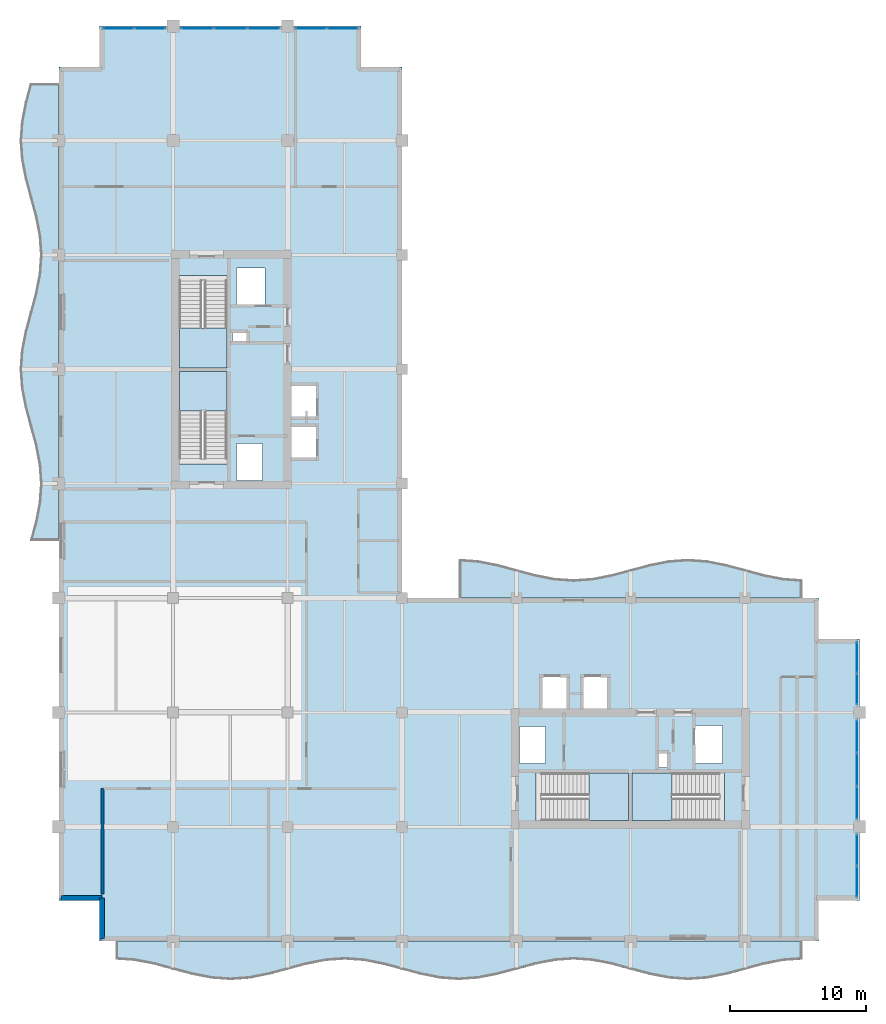
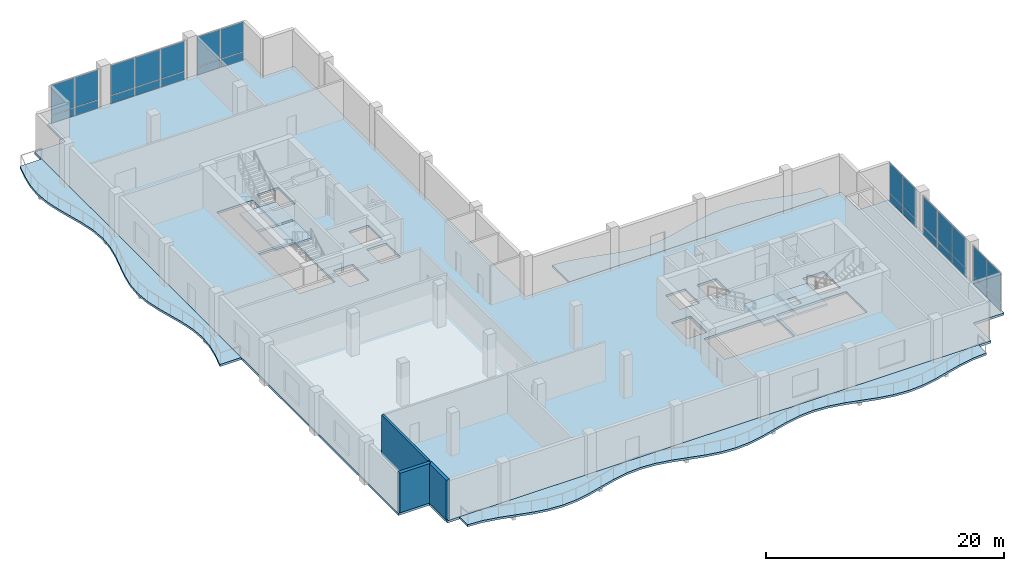
# One storey, part 7 of 15: 28 plates, 8 slabs, 3 walls, 10 elements without a shape of their own.
"""IFC4 building model written with IfcOpenShell, lengths in metres."""

from ifc_helpers import new_model, si_unit, direction, frame, frame_2d, origin, origin_2d, place, context, subcontext, project, spatial, polyline, rectangle, outline, extrude, material, layer, layer_set, type_object, element, aggregate, save


model = new_model("IFC4")

# Units and contexts
model_context = context("Model", 3, precision=1e-05, world=origin(), true_north=direction((0.0, 1.0)))
body_context = subcontext(model_context, "Body", "Model", "MODEL_VIEW")
ifc_project = project(units=[si_unit("LENGTHUNIT", "METRE"), si_unit("AREAUNIT", "SQUARE_METRE"), si_unit("VOLUMEUNIT", "CUBIC_METRE"), si_unit("PLANEANGLEUNIT", "RADIAN"), si_unit("MASSUNIT", "GRAM", prefix="KILO")], contexts=[model_context])

# Site, building, storey
site_placement = place(None, origin())
site = spatial("IfcSite", under=ifc_project, at=site_placement, CompositionType="ELEMENT")
building_placement = place(site_placement, origin())
building = spatial("IfcBuilding", under=site, at=building_placement, Name="Koriwani Terraces Tower", CompositionType="ELEMENT")
storey_placement = place(building_placement, frame((0.0, 0.0, 290.39990234375)))
storey = spatial("IfcBuildingStorey", under=building, at=storey_placement, Name="L72", CompositionType="ELEMENT", Elevation=290.39990234375)

# Curtain wall, plates
ifc_material_1 = material(Name="Anodised Bronze Aluminium", Category="aluminium")
ifc_layer_1 = layer(ifc_material_1, 0.219970703125, Name="Anodised Bronze Aluminium")
ifc_layer_set_1 = layer_set([ifc_layer_1], Name="Anodised Bronze Aluminium")
curtain_wall_type = type_object("IfcCurtainWallType", Name="CW_SKY_LOUNGE", PredefinedType="NOTDEFINED", material=ifc_layer_set_1)
curtain_wall_1_placement = place(storey_placement, origin())
curtain_wall_1 = element("IfcCurtainWall", 1, at=curtain_wall_1_placement, inside=storey, type_object=curtain_wall_type, Name="L72 Unitised Curtain Wall (N_TIP) Bay 1", PredefinedType="NOTDEFINED")
ifc_material_2 = material(Name="Tempered Laminated Low-E Glass", Category="glass")
ifc_layer_2 = layer(ifc_material_2, 0.028076171875, Name="Tempered Laminated Low-E Glass")
ifc_layer_set_2 = layer_set([ifc_layer_2], Name="Tempered Laminated Low-E Glass")
plate_type = type_object("IfcPlateType", Name="CW_PANEL_VISION_28", PredefinedType="CURTAIN_PANEL", material=ifc_layer_set_2)
plate_1_placement = place(storey_placement, frame((12.77490234375, 75.425048828125, 0.06494140625), z_axis=(0.0, 0.0, 1.0), x_axis=(1.0, 0.0, 0.0)))
plate_1 = element("IfcPlate", 2, at=plate_1_placement, type_object=plate_type, Name="CW-SKY panel 1.1", PredefinedType="CURTAIN_PANEL", context=body_context, shape_type="SweptSolid", body=[
    extrude(rectangle(XDim=2.22998046875, YDim=0.028076171875, at=origin_2d()), origin(), (0.0, 0.0, 1.0), 0.802490234375),
])
plate_2_placement = place(storey_placement, frame((12.77490234375, 75.425048828125, 0.9326171875), z_axis=(0.0, 0.0, 1.0), x_axis=(1.0, 0.0, 0.0)))
plate_2 = element("IfcPlate", 3, at=plate_2_placement, type_object=plate_type, Name="CW-SKY panel 1.2", PredefinedType="CURTAIN_PANEL", context=body_context, shape_type="SweptSolid", body=[
    extrude(rectangle(XDim=2.22998046875, YDim=0.028076171875, at=origin_2d()), origin(), (0.0, 0.0, 1.0), 3.052490234375),
])
plate_3_placement = place(storey_placement, frame((15.090087890625, 75.425048828125, 0.06494140625), z_axis=(0.0, 0.0, 1.0), x_axis=(1.0, 0.0, 0.0)))
plate_3 = element("IfcPlate", 4, at=plate_3_placement, type_object=plate_type, Name="CW-SKY panel 2.1", PredefinedType="CURTAIN_PANEL", context=body_context, shape_type="SweptSolid", body=[
    extrude(rectangle(XDim=2.22998046875, YDim=0.028076171875, at=origin_2d()), origin(), (0.0, 0.0, 1.0), 0.802490234375),
])
plate_4_placement = place(storey_placement, frame((15.090087890625, 75.425048828125, 0.9326171875), z_axis=(0.0, 0.0, 1.0), x_axis=(1.0, 0.0, 0.0)))
plate_4 = element("IfcPlate", 5, at=plate_4_placement, type_object=plate_type, Name="CW-SKY panel 2.2", PredefinedType="CURTAIN_PANEL", context=body_context, shape_type="SweptSolid", body=[
    extrude(rectangle(XDim=2.22998046875, YDim=0.028076171875, at=origin_2d()), origin(), (0.0, 0.0, 1.0), 3.052490234375),
])
aggregate(curtain_wall_1, [plate_1, plate_2, plate_3, plate_4])

curtain_wall_2_placement = place(storey_placement, origin())
curtain_wall_2 = element("IfcCurtainWall", 6, at=curtain_wall_2_placement, inside=storey, type_object=curtain_wall_type, Name="L72 Unitised Curtain Wall (N_TIP) Bay 2", PredefinedType="NOTDEFINED")
plate_5_placement = place(storey_placement, frame((18.561279296875, 75.425048828125, 0.06494140625), z_axis=(0.0, 0.0, 1.0), x_axis=(1.0, 0.0, 0.0)))
plate_5 = element("IfcPlate", 7, at=plate_5_placement, type_object=plate_type, Name="CW-SKY panel 1.1", PredefinedType="CURTAIN_PANEL", context=body_context, shape_type="SweptSolid", body=[
    extrude(rectangle(XDim=2.33251953125, YDim=0.028076171875, at=origin_2d()), origin(), (0.0, 0.0, 1.0), 0.802490234375),
])
plate_6_placement = place(storey_placement, frame((18.561279296875, 75.425048828125, 0.9326171875), z_axis=(0.0, 0.0, 1.0), x_axis=(1.0, 0.0, 0.0)))
plate_6 = element("IfcPlate", 8, at=plate_6_placement, type_object=plate_type, Name="CW-SKY panel 1.2", PredefinedType="CURTAIN_PANEL", context=body_context, shape_type="SweptSolid", body=[
    extrude(rectangle(XDim=2.33251953125, YDim=0.028076171875, at=origin_2d()), origin(), (0.0, 0.0, 1.0), 3.052490234375),
])
plate_7_placement = place(storey_placement, frame((21.0, 75.425048828125, 0.06494140625), z_axis=(0.0, 0.0, 1.0), x_axis=(1.0, 0.0, 0.0)))
plate_7 = element("IfcPlate", 9, at=plate_7_placement, type_object=plate_type, Name="CW-SKY panel 2.1", PredefinedType="CURTAIN_PANEL", context=body_context, shape_type="SweptSolid", body=[
    extrude(rectangle(XDim=2.375, YDim=0.028076171875, at=origin_2d()), origin(), (0.0, 0.0, 1.0), 0.802490234375),
])
plate_8_placement = place(storey_placement, frame((21.0, 75.425048828125, 0.9326171875), z_axis=(0.0, 0.0, 1.0), x_axis=(1.0, 0.0, 0.0)))
plate_8 = element("IfcPlate", 10, at=plate_8_placement, type_object=plate_type, Name="CW-SKY panel 2.2", PredefinedType="CURTAIN_PANEL", context=body_context, shape_type="SweptSolid", body=[
    extrude(rectangle(XDim=2.375, YDim=0.028076171875, at=origin_2d()), origin(), (0.0, 0.0, 1.0), 3.052490234375),
])
plate_9_placement = place(storey_placement, frame((23.438720703125, 75.425048828125, 0.06494140625), z_axis=(0.0, 0.0, 1.0), x_axis=(1.0, 0.0, 0.0)))
plate_9 = element("IfcPlate", 11, at=plate_9_placement, type_object=plate_type, Name="CW-SKY panel 3.1", PredefinedType="CURTAIN_PANEL", context=body_context, shape_type="SweptSolid", body=[
    extrude(rectangle(XDim=2.33251953125, YDim=0.028076171875, at=origin_2d()), origin(), (0.0, 0.0, 1.0), 0.802490234375),
])
plate_10_placement = place(storey_placement, frame((23.438720703125, 75.425048828125, 0.9326171875), z_axis=(0.0, 0.0, 1.0), x_axis=(1.0, 0.0, 0.0)))
plate_10 = element("IfcPlate", 12, at=plate_10_placement, type_object=plate_type, Name="CW-SKY panel 3.2", PredefinedType="CURTAIN_PANEL", context=body_context, shape_type="SweptSolid", body=[
    extrude(rectangle(XDim=2.33251953125, YDim=0.028076171875, at=origin_2d()), origin(), (0.0, 0.0, 1.0), 3.052490234375),
])
aggregate(curtain_wall_2, [plate_5, plate_6, plate_7, plate_8, plate_9, plate_10])

curtain_wall_3_placement = place(storey_placement, origin())
curtain_wall_3 = element("IfcCurtainWall", 13, at=curtain_wall_3_placement, inside=storey, type_object=curtain_wall_type, Name="L72 Unitised Curtain Wall (N_TIP) Bay 3", PredefinedType="NOTDEFINED")
plate_11_placement = place(storey_placement, frame((26.909912109375, 75.425048828125, 0.06494140625), z_axis=(0.0, 0.0, 1.0), x_axis=(1.0, 0.0, 0.0)))
plate_11 = element("IfcPlate", 14, at=plate_11_placement, type_object=plate_type, Name="CW-SKY panel 1.1", PredefinedType="CURTAIN_PANEL", context=body_context, shape_type="SweptSolid", body=[
    extrude(rectangle(XDim=2.22998046875, YDim=0.028076171875, at=origin_2d()), origin(), (0.0, 0.0, 1.0), 0.802490234375),
])
plate_12_placement = place(storey_placement, frame((26.909912109375, 75.425048828125, 0.9326171875), z_axis=(0.0, 0.0, 1.0), x_axis=(1.0, 0.0, 0.0)))
plate_12 = element("IfcPlate", 15, at=plate_12_placement, type_object=plate_type, Name="CW-SKY panel 1.2", PredefinedType="CURTAIN_PANEL", context=body_context, shape_type="SweptSolid", body=[
    extrude(rectangle(XDim=2.22998046875, YDim=0.028076171875, at=origin_2d()), origin(), (0.0, 0.0, 1.0), 3.052490234375),
])
plate_13_placement = place(storey_placement, frame((29.22509765625, 75.425048828125, 0.06494140625), z_axis=(0.0, 0.0, 1.0), x_axis=(1.0, 0.0, 0.0)))
plate_13 = element("IfcPlate", 16, at=plate_13_placement, type_object=plate_type, Name="CW-SKY panel 2.1", PredefinedType="CURTAIN_PANEL", context=body_context, shape_type="SweptSolid", body=[
    extrude(rectangle(XDim=2.22998046875, YDim=0.028076171875, at=origin_2d()), origin(), (0.0, 0.0, 1.0), 0.802490234375),
])
plate_14_placement = place(storey_placement, frame((29.22509765625, 75.425048828125, 0.9326171875), z_axis=(0.0, 0.0, 1.0), x_axis=(1.0, 0.0, 0.0)))
plate_14 = element("IfcPlate", 17, at=plate_14_placement, type_object=plate_type, Name="CW-SKY panel 2.2", PredefinedType="CURTAIN_PANEL", context=body_context, shape_type="SweptSolid", body=[
    extrude(rectangle(XDim=2.22998046875, YDim=0.028076171875, at=origin_2d()), origin(), (0.0, 0.0, 1.0), 3.052490234375),
])
aggregate(curtain_wall_3, [plate_11, plate_12, plate_13, plate_14])

curtain_wall_4_placement = place(storey_placement, origin())
curtain_wall_4 = element("IfcCurtainWall", 18, at=curtain_wall_4_placement, inside=storey, type_object=curtain_wall_type, Name="L72 Unitised Curtain Wall (E_TIP) Bay 1", PredefinedType="NOTDEFINED")
plate_15_placement = place(storey_placement, frame((67.02490234375, 29.22509765625, 0.06494140625), z_axis=(0.0, 0.0, 1.0), x_axis=(0.0, -1.0, 0.0)))
plate_15 = element("IfcPlate", 19, at=plate_15_placement, type_object=plate_type, Name="CW-SKY panel 1.1", PredefinedType="CURTAIN_PANEL", context=body_context, shape_type="SweptSolid", body=[
    extrude(rectangle(XDim=2.22998046875, YDim=0.028076171875, at=origin_2d()), origin(), (0.0, 0.0, 1.0), 0.802490234375),
])
plate_16_placement = place(storey_placement, frame((67.02490234375, 29.22509765625, 0.9326171875), z_axis=(0.0, 0.0, 1.0), x_axis=(0.0, -1.0, 0.0)))
plate_16 = element("IfcPlate", 20, at=plate_16_placement, type_object=plate_type, Name="CW-SKY panel 1.2", PredefinedType="CURTAIN_PANEL", context=body_context, shape_type="SweptSolid", body=[
    extrude(rectangle(XDim=2.22998046875, YDim=0.028076171875, at=origin_2d()), origin(), (0.0, 0.0, 1.0), 3.052490234375),
])
plate_17_placement = place(storey_placement, frame((67.02490234375, 26.909912109375, 0.06494140625), z_axis=(0.0, 0.0, 1.0), x_axis=(0.0, -1.0, 0.0)))
plate_17 = element("IfcPlate", 21, at=plate_17_placement, type_object=plate_type, Name="CW-SKY panel 2.1", PredefinedType="CURTAIN_PANEL", context=body_context, shape_type="SweptSolid", body=[
    extrude(rectangle(XDim=2.22998046875, YDim=0.028076171875, at=origin_2d()), origin(), (0.0, 0.0, 1.0), 0.802490234375),
])
plate_18_placement = place(storey_placement, frame((67.02490234375, 26.909912109375, 0.9326171875), z_axis=(0.0, 0.0, 1.0), x_axis=(0.0, -1.0, 0.0)))
plate_18 = element("IfcPlate", 22, at=plate_18_placement, type_object=plate_type, Name="CW-SKY panel 2.2", PredefinedType="CURTAIN_PANEL", context=body_context, shape_type="SweptSolid", body=[
    extrude(rectangle(XDim=2.22998046875, YDim=0.028076171875, at=origin_2d()), origin(), (0.0, 0.0, 1.0), 3.052490234375),
])
aggregate(curtain_wall_4, [plate_15, plate_16, plate_17, plate_18])

curtain_wall_5_placement = place(storey_placement, origin())
curtain_wall_5 = element("IfcCurtainWall", 23, at=curtain_wall_5_placement, inside=storey, type_object=curtain_wall_type, Name="L72 Unitised Curtain Wall (E_TIP) Bay 2", PredefinedType="NOTDEFINED")
plate_19_placement = place(storey_placement, frame((67.02490234375, 23.438720703125, 0.06494140625), z_axis=(0.0, 0.0, 1.0), x_axis=(0.0, -1.0, 0.0)))
plate_19 = element("IfcPlate", 24, at=plate_19_placement, type_object=plate_type, Name="CW-SKY panel 1.1", PredefinedType="CURTAIN_PANEL", context=body_context, shape_type="SweptSolid", body=[
    extrude(rectangle(XDim=2.33251953125, YDim=0.028076171875, at=origin_2d()), origin(), (0.0, 0.0, 1.0), 0.802490234375),
])
plate_20_placement = place(storey_placement, frame((67.02490234375, 23.438720703125, 0.9326171875), z_axis=(0.0, 0.0, 1.0), x_axis=(0.0, -1.0, 0.0)))
plate_20 = element("IfcPlate", 25, at=plate_20_placement, type_object=plate_type, Name="CW-SKY panel 1.2", PredefinedType="CURTAIN_PANEL", context=body_context, shape_type="SweptSolid", body=[
    extrude(rectangle(XDim=2.33251953125, YDim=0.028076171875, at=origin_2d()), origin(), (0.0, 0.0, 1.0), 3.052490234375),
])
plate_21_placement = place(storey_placement, frame((67.02490234375, 21.0, 0.06494140625), z_axis=(0.0, 0.0, 1.0), x_axis=(0.0, -1.0, 0.0)))
plate_21 = element("IfcPlate", 26, at=plate_21_placement, type_object=plate_type, Name="CW-SKY panel 2.1", PredefinedType="CURTAIN_PANEL", context=body_context, shape_type="SweptSolid", body=[
    extrude(rectangle(XDim=2.375, YDim=0.028076171875, at=origin_2d()), origin(), (0.0, 0.0, 1.0), 0.802490234375),
])
plate_22_placement = place(storey_placement, frame((67.02490234375, 21.0, 0.9326171875), z_axis=(0.0, 0.0, 1.0), x_axis=(0.0, -1.0, 0.0)))
plate_22 = element("IfcPlate", 27, at=plate_22_placement, type_object=plate_type, Name="CW-SKY panel 2.2", PredefinedType="CURTAIN_PANEL", context=body_context, shape_type="SweptSolid", body=[
    extrude(rectangle(XDim=2.375, YDim=0.028076171875, at=origin_2d()), origin(), (0.0, 0.0, 1.0), 3.052490234375),
])
plate_23_placement = place(storey_placement, frame((67.02490234375, 18.561279296875, 0.06494140625), z_axis=(0.0, 0.0, 1.0), x_axis=(0.0, -1.0, 0.0)))
plate_23 = element("IfcPlate", 28, at=plate_23_placement, type_object=plate_type, Name="CW-SKY panel 3.1", PredefinedType="CURTAIN_PANEL", context=body_context, shape_type="SweptSolid", body=[
    extrude(rectangle(XDim=2.33251953125, YDim=0.028076171875, at=origin_2d()), origin(), (0.0, 0.0, 1.0), 0.802490234375),
])
plate_24_placement = place(storey_placement, frame((67.02490234375, 18.561279296875, 0.9326171875), z_axis=(0.0, 0.0, 1.0), x_axis=(0.0, -1.0, 0.0)))
plate_24 = element("IfcPlate", 29, at=plate_24_placement, type_object=plate_type, Name="CW-SKY panel 3.2", PredefinedType="CURTAIN_PANEL", context=body_context, shape_type="SweptSolid", body=[
    extrude(rectangle(XDim=2.33251953125, YDim=0.028076171875, at=origin_2d()), origin(), (0.0, 0.0, 1.0), 3.052490234375),
])
aggregate(curtain_wall_5, [plate_19, plate_20, plate_21, plate_22, plate_23, plate_24])

curtain_wall_6_placement = place(storey_placement, origin())
curtain_wall_6 = element("IfcCurtainWall", 30, at=curtain_wall_6_placement, inside=storey, type_object=curtain_wall_type, Name="L72 Unitised Curtain Wall (E_TIP) Bay 3", PredefinedType="NOTDEFINED")
plate_25_placement = place(storey_placement, frame((67.02490234375, 15.090087890625, 0.06494140625), z_axis=(0.0, 0.0, 1.0), x_axis=(0.0, -1.0, 0.0)))
plate_25 = element("IfcPlate", 31, at=plate_25_placement, type_object=plate_type, Name="CW-SKY panel 1.1", PredefinedType="CURTAIN_PANEL", context=body_context, shape_type="SweptSolid", body=[
    extrude(rectangle(XDim=2.22998046875, YDim=0.028076171875, at=origin_2d()), origin(), (0.0, 0.0, 1.0), 0.802490234375),
])
plate_26_placement = place(storey_placement, frame((67.02490234375, 15.090087890625, 0.9326171875), z_axis=(0.0, 0.0, 1.0), x_axis=(0.0, -1.0, 0.0)))
plate_26 = element("IfcPlate", 32, at=plate_26_placement, type_object=plate_type, Name="CW-SKY panel 1.2", PredefinedType="CURTAIN_PANEL", context=body_context, shape_type="SweptSolid", body=[
    extrude(rectangle(XDim=2.22998046875, YDim=0.028076171875, at=origin_2d()), origin(), (0.0, 0.0, 1.0), 3.052490234375),
])
plate_27_placement = place(storey_placement, frame((67.02490234375, 12.77490234375, 0.06494140625), z_axis=(0.0, 0.0, 1.0), x_axis=(0.0, -1.0, 0.0)))
plate_27 = element("IfcPlate", 33, at=plate_27_placement, type_object=plate_type, Name="CW-SKY panel 2.1", PredefinedType="CURTAIN_PANEL", context=body_context, shape_type="SweptSolid", body=[
    extrude(rectangle(XDim=2.22998046875, YDim=0.028076171875, at=origin_2d()), origin(), (0.0, 0.0, 1.0), 0.802490234375),
])
plate_28_placement = place(storey_placement, frame((67.02490234375, 12.77490234375, 0.9326171875), z_axis=(0.0, 0.0, 1.0), x_axis=(0.0, -1.0, 0.0)))
plate_28 = element("IfcPlate", 34, at=plate_28_placement, type_object=plate_type, Name="CW-SKY panel 2.2", PredefinedType="CURTAIN_PANEL", context=body_context, shape_type="SweptSolid", body=[
    extrude(rectangle(XDim=2.22998046875, YDim=0.028076171875, at=origin_2d()), origin(), (0.0, 0.0, 1.0), 3.052490234375),
])
aggregate(curtain_wall_6, [plate_25, plate_26, plate_27, plate_28])

# Slabs
ifc_material_3 = material(Name="Concrete C40/50", Category="concrete")
ifc_layer_3 = layer(ifc_material_3, 0.219970703125, Name="Concrete C40/50")
ifc_layer_set_3 = layer_set([ifc_layer_3], Name="Concrete C40/50")
slab_type_1 = type_object("IfcSlabType", Name="SLAB_BALCONY_220", PredefinedType="FLOOR", material=ifc_layer_set_3)
slab_1_placement = place(storey_placement, frame((0.0, 0.0, -0.219970703125)))
element("IfcSlab", 35, at=slab_1_placement, inside=storey, type_object=slab_type_1, Name="L72 Quilted Circular-Arc Balcony (S)", PredefinedType="FLOOR", context=body_context, shape_type="SweptSolid", body=[
    extrude(outline(polyline([(12.60009765625, 8.39990234375), (14.0, 8.39990234375), (15.39990234375, 8.39990234375), (16.800048828125, 8.39990234375), (18.199951171875, 8.39990234375), (19.60009765625, 8.39990234375), (21.0, 8.39990234375), (22.39990234375, 8.39990234375), (23.800048828125, 8.39990234375), (25.199951171875, 8.39990234375), (26.60009765625, 8.39990234375), (28.0, 8.39990234375), (29.39990234375, 8.39990234375), (30.800048828125, 8.39990234375), (32.199951171875, 8.39990234375), (33.60009765625, 8.39990234375), (35.0, 8.39990234375), (36.39990234375, 8.39990234375), (37.800048828125, 8.39990234375), (39.199951171875, 8.39990234375), (40.60009765625, 8.39990234375), (42.0, 8.39990234375), (43.39990234375, 8.39990234375), (44.800048828125, 8.39990234375), (46.199951171875, 8.39990234375), (47.60009765625, 8.39990234375), (49.0, 8.39990234375), (50.39990234375, 8.39990234375), (51.800048828125, 8.39990234375), (53.199951171875, 8.39990234375), (54.60009765625, 8.39990234375), (56.0, 8.39990234375), (57.39990234375, 8.39990234375), (58.800048828125, 8.39990234375), (60.199951171875, 8.39990234375), (61.60009765625, 8.39990234375), (63.0, 8.39990234375), (63.0, 7.050048828125), (61.60009765625, 6.949462890625), (60.199951171875, 6.675048828125), (58.800048828125, 6.300048828125), (57.39990234375, 5.925048828125), (56.0, 5.650390625), (54.60009765625, 5.550048828125), (53.199951171875, 5.650390625), (51.800048828125, 5.925048828125), (50.39990234375, 6.300048828125), (49.0, 6.675048828125), (47.60009765625, 6.949462890625), (46.199951171875, 7.050048828125), (44.800048828125, 6.949462890625), (43.39990234375, 6.675048828125), (42.0, 6.300048828125), (40.60009765625, 5.925048828125), (39.199951171875, 5.650390625), (37.800048828125, 5.550048828125), (36.39990234375, 5.650390625), (35.0, 5.925048828125), (33.60009765625, 6.300048828125), (32.199951171875, 6.675048828125), (30.800048828125, 6.949462890625), (29.39990234375, 7.050048828125), (28.0, 6.949462890625), (26.60009765625, 6.675048828125), (25.199951171875, 6.300048828125), (23.800048828125, 5.925048828125), (22.39990234375, 5.650390625), (21.0, 5.550048828125), (19.60009765625, 5.650390625), (18.199951171875, 5.925048828125), (16.800048828125, 6.300048828125), (15.39990234375, 6.675048828125), (14.0, 6.949462890625), (12.60009765625, 7.050048828125), (12.60009765625, 8.39990234375)])), origin(), (0.0, 0.0, 1.0), 0.219970703125),
])
slab_2_placement = place(storey_placement, frame((0.0, 0.0, -0.219970703125)))
element("IfcSlab", 36, at=slab_2_placement, inside=storey, type_object=slab_type_1, Name="L72 Quilted Circular-Arc Balcony (W)", PredefinedType="FLOOR", context=body_context, shape_type="SweptSolid", body=[
    extrude(outline(polyline([(8.39990234375, 37.800048828125), (8.39990234375, 39.199951171875), (8.39990234375, 40.60009765625), (8.39990234375, 42.0), (8.39990234375, 43.39990234375), (8.39990234375, 44.800048828125), (8.39990234375, 46.199951171875), (8.39990234375, 47.60009765625), (8.39990234375, 49.0), (8.39990234375, 50.39990234375), (8.39990234375, 51.800048828125), (8.39990234375, 53.199951171875), (8.39990234375, 54.60009765625), (8.39990234375, 56.0), (8.39990234375, 57.39990234375), (8.39990234375, 58.800048828125), (8.39990234375, 60.199951171875), (8.39990234375, 61.60009765625), (8.39990234375, 63.0), (8.39990234375, 64.39990234375), (8.39990234375, 65.800048828125), (8.39990234375, 67.199951171875), (8.39990234375, 68.60009765625), (8.39990234375, 70.0), (8.39990234375, 71.39990234375), (6.300048828125, 71.39990234375), (5.925048828125, 70.0), (5.650390625, 68.60009765625), (5.550048828125, 67.199951171875), (5.650390625, 65.800048828125), (5.925048828125, 64.39990234375), (6.300048828125, 63.0), (6.675048828125, 61.60009765625), (6.949462890625, 60.199951171875), (7.050048828125, 58.800048828125), (6.949462890625, 57.39990234375), (6.675048828125, 56.0), (6.300048828125, 54.60009765625), (5.925048828125, 53.199951171875), (5.650390625, 51.800048828125), (5.550048828125, 50.39990234375), (5.650390625, 49.0), (5.925048828125, 47.60009765625), (6.300048828125, 46.199951171875), (6.675048828125, 44.800048828125), (6.949462890625, 43.39990234375), (7.050048828125, 42.0), (6.949462890625, 40.60009765625), (6.675048828125, 39.199951171875), (6.300048828125, 37.800048828125), (8.39990234375, 37.800048828125)])), origin(), (0.0, 0.0, 1.0), 0.219970703125),
])
slab_3_placement = place(storey_placement, frame((0.0, 0.0, -0.219970703125)))
element("IfcSlab", 37, at=slab_3_placement, inside=storey, type_object=slab_type_1, Name="L72 Quilted Circular-Arc Balcony (NE)", PredefinedType="FLOOR", context=body_context, shape_type="SweptSolid", body=[
    extrude(outline(polyline([(63.0, 33.60009765625), (61.60009765625, 33.60009765625), (60.199951171875, 33.60009765625), (58.800048828125, 33.60009765625), (57.39990234375, 33.60009765625), (56.0, 33.60009765625), (54.60009765625, 33.60009765625), (53.199951171875, 33.60009765625), (51.800048828125, 33.60009765625), (50.39990234375, 33.60009765625), (49.0, 33.60009765625), (47.60009765625, 33.60009765625), (46.199951171875, 33.60009765625), (44.800048828125, 33.60009765625), (43.39990234375, 33.60009765625), (42.0, 33.60009765625), (40.60009765625, 33.60009765625), (39.199951171875, 33.60009765625), (37.800048828125, 33.60009765625), (37.800048828125, 36.449951171875), (39.199951171875, 36.349609375), (40.60009765625, 36.074951171875), (42.0, 35.699951171875), (43.39990234375, 35.324951171875), (44.800048828125, 35.050537109375), (46.199951171875, 34.949951171875), (47.60009765625, 35.050537109375), (49.0, 35.324951171875), (50.39990234375, 35.699951171875), (51.800048828125, 36.074951171875), (53.199951171875, 36.349609375), (54.60009765625, 36.449951171875), (56.0, 36.349609375), (57.39990234375, 36.074951171875), (58.800048828125, 35.699951171875), (60.199951171875, 35.324951171875), (61.60009765625, 35.050537109375), (63.0, 34.949951171875), (63.0, 33.60009765625)])), origin(), (0.0, 0.0, 1.0), 0.219970703125),
])
ifc_layer_4 = layer(ifc_material_3, 0.22998046875, Name="Concrete C40/50")
ifc_layer_set_4 = layer_set([ifc_layer_4], Name="Concrete C40/50")
slab_type_2 = type_object("IfcSlabType", Name="SLAB_RES_TYP_230", PredefinedType="FLOOR", material=ifc_layer_set_4)
slab_4_placement = place(storey_placement, frame((0.0, 0.0, -0.22998046875)))
element("IfcSlab", 38, at=slab_4_placement, inside=storey, type_object=slab_type_2, Name="L72 Structural Floor Slab", PredefinedType="FLOOR", context=body_context, shape_type="SweptSolid", body=[
    extrude(outline(polyline([(11.39990234375, 8.39990234375), (64.199951171875, 8.39990234375), (64.199951171875, 11.39990234375), (67.199951171875, 11.39990234375), (67.199951171875, 30.60009765625), (64.199951171875, 30.60009765625), (64.199951171875, 33.60009765625), (33.60009765625, 33.60009765625), (33.60009765625, 72.60009765625), (30.60009765625, 72.60009765625), (30.60009765625, 75.60009765625), (11.39990234375, 75.60009765625), (11.39990234375, 72.60009765625), (8.39990234375, 72.60009765625), (8.39990234375, 11.39990234375), (11.39990234375, 11.39990234375), (11.39990234375, 8.39990234375)]), holes=[polyline([(17.25, 43.4599609375), (20.75, 43.4599609375), (20.75, 50.25), (17.25, 50.25), (17.25, 43.4599609375)]), polyline([(17.25, 50.5), (20.75, 50.5), (20.75, 57.2900390625), (17.25, 57.2900390625), (17.25, 50.5)]), polyline([(43.4599609375, 17.25), (50.25, 17.25), (50.25, 20.75), (43.4599609375, 20.75), (43.4599609375, 17.25)]), polyline([(50.5, 17.25), (57.2900390625, 17.25), (57.2900390625, 20.75), (50.5, 20.75), (50.5, 17.25)]), polyline([(25.449951171875, 43.85009765625), (27.35009765625, 43.85009765625), (27.35009765625, 46.25), (25.449951171875, 46.25), (25.449951171875, 43.85009765625)]), polyline([(25.449951171875, 46.85009765625), (27.35009765625, 46.85009765625), (27.35009765625, 49.25), (25.449951171875, 49.25), (25.449951171875, 46.85009765625)]), polyline([(43.85009765625, 25.449951171875), (45.75, 25.449951171875), (45.75, 27.85009765625), (43.85009765625, 27.85009765625), (43.85009765625, 25.449951171875)]), polyline([(46.85009765625, 25.449951171875), (48.75, 25.449951171875), (48.75, 27.85009765625), (46.85009765625, 27.85009765625), (46.85009765625, 25.449951171875)]), polyline([(21.449951171875, 55.050048828125), (23.550048828125, 55.050048828125), (23.550048828125, 57.85009765625), (21.449951171875, 57.85009765625), (21.449951171875, 55.050048828125)]), polyline([(55.050048828125, 21.449951171875), (57.14990234375, 21.449951171875), (57.14990234375, 24.25), (55.050048828125, 24.25), (55.050048828125, 21.449951171875)]), polyline([(21.449951171875, 42.25), (23.35009765625, 42.25), (23.35009765625, 44.949951171875), (21.449951171875, 44.949951171875), (21.449951171875, 42.25)]), polyline([(42.25, 21.449951171875), (44.14990234375, 21.449951171875), (44.14990234375, 24.14990234375), (42.25, 24.14990234375), (42.25, 21.449951171875)]), polyline([(21.14990234375, 52.419921875), (22.219970703125, 52.419921875), (22.219970703125, 53.179931640625), (21.14990234375, 53.179931640625), (21.14990234375, 52.419921875)]), polyline([(52.419921875, 21.14990234375), (53.179931640625, 21.14990234375), (53.179931640625, 22.219970703125), (52.419921875, 22.219970703125), (52.419921875, 21.14990234375)])]), origin(), (0.0, 0.0, 1.0), 0.22998046875),
])

# Stair, slab
stair_type = type_object("IfcStairType", Name="STAIR_CORE_DOGLEG_1650", PredefinedType="TWO_STRAIGHT_RUN_STAIR", material=ifc_material_3)
stair_1_placement = place(storey_placement, origin())
stair_1 = element("IfcStair", 39, at=stair_1_placement, inside=storey, type_object=stair_type, Name="L72 West Core Exit Stair 1", PredefinedType="HALF_TURN_STAIR")
ifc_layer_5 = layer(ifc_material_3, 0.199951171875, Name="Concrete C40/50")
ifc_layer_set_5 = layer_set([ifc_layer_5], Name="Concrete C40/50")
slab_type_3 = type_object("IfcSlabType", Name="SLAB_STAIR_LANDING_200", PredefinedType="LANDING", material=ifc_layer_set_5)
slab_5_placement = place(storey_placement, frame((0.0, 0.0, 2.0)))
slab_5 = element("IfcSlab", 40, at=slab_5_placement, type_object=slab_type_3, Name="ST-W1 landing 1", PredefinedType="LANDING", context=body_context, shape_type="SweptSolid", body=[
    extrude(outline(polyline([(20.75, 47.330078125), (20.75, 50.25), (17.25, 50.25), (17.25, 47.330078125), (20.75, 47.330078125)])), origin(), (0.0, 0.0, 1.0), 0.2001953125),
])
aggregate(stair_1, [slab_5])

stair_2_placement = place(storey_placement, origin())
stair_2 = element("IfcStair", 41, at=stair_2_placement, inside=storey, type_object=stair_type, Name="L72 West Core Exit Stair 2", PredefinedType="HALF_TURN_STAIR")
slab_6_placement = place(storey_placement, frame((0.0, 0.0, 2.0)))
slab_6 = element("IfcSlab", 42, at=slab_6_placement, type_object=slab_type_3, Name="ST-W2 landing 1", PredefinedType="LANDING", context=body_context, shape_type="SweptSolid", body=[
    extrude(outline(polyline([(17.25, 53.419921875), (17.25, 50.5), (20.75, 50.5), (20.75, 53.419921875), (17.25, 53.419921875)])), origin(), (0.0, 0.0, 1.0), 0.2001953125),
])
aggregate(stair_2, [slab_6])

stair_3_placement = place(storey_placement, origin())
stair_3 = element("IfcStair", 43, at=stair_3_placement, inside=storey, type_object=stair_type, Name="L72 East Core Exit Stair 1", PredefinedType="HALF_TURN_STAIR")
slab_7_placement = place(storey_placement, frame((0.0, 0.0, 2.0)))
slab_7 = element("IfcSlab", 44, at=slab_7_placement, type_object=slab_type_3, Name="ST-E1 landing 1", PredefinedType="LANDING", context=body_context, shape_type="SweptSolid", body=[
    extrude(outline(polyline([(47.330078125, 17.25), (50.25, 17.25), (50.25, 20.75), (47.330078125, 20.75), (47.330078125, 17.25)])), origin(), (0.0, 0.0, 1.0), 0.2001953125),
])
aggregate(stair_3, [slab_7])

stair_4_placement = place(storey_placement, origin())
stair_4 = element("IfcStair", 45, at=stair_4_placement, inside=storey, type_object=stair_type, Name="L72 East Core Exit Stair 2", PredefinedType="HALF_TURN_STAIR")
slab_8_placement = place(storey_placement, frame((0.0, 0.0, 2.0)))
slab_8 = element("IfcSlab", 46, at=slab_8_placement, type_object=slab_type_3, Name="ST-E2 landing 1", PredefinedType="LANDING", context=body_context, shape_type="SweptSolid", body=[
    extrude(outline(polyline([(53.419921875, 20.75), (50.5, 20.75), (50.5, 17.25), (53.419921875, 17.25), (53.419921875, 20.75)])), origin(), (0.0, 0.0, 1.0), 0.2001953125),
])
aggregate(stair_4, [slab_8])

# Walls
ifc_material_4 = material(Name="Autoclaved Cellular Concrete Blockwork", Category="masonry")
ifc_layer_6 = layer(ifc_material_4, 0.219970703125, Name="Autoclaved Cellular Concrete Blockwork")
ifc_layer_set_6 = layer_set([ifc_layer_6], Name="Autoclaved Cellular Concrete Blockwork")
wall_type_1 = type_object("IfcWallType", Name="WALL_DEMISING_220", PredefinedType="PARTITIONING", material=ifc_layer_set_6)
wall_placement = place(storey_placement, frame((11.60009765625, 11.85009765625, 0.0), z_axis=(0.0, 0.0, 1.0), x_axis=(0.0, 1.0, 0.0)))
element("IfcWall", 47, at=wall_placement, inside=storey, type_object=wall_type_1, Name="L72 Interior Wall WSKY-SPW-L72", PredefinedType="PARTITIONING", context=body_context, shape_type="SweptSolid", body=[
    extrude(rectangle(XDim=7.75, YDim=0.219970703125, at=frame_2d((3.875, 0.0))), origin(), (0.0, 0.0, 1.0), 4.050048828125),
])
ifc_material_5 = material(Name="Concrete C50/60", Category="concrete")
ifc_layer_7 = layer(ifc_material_5, 0.35009765625, Name="Concrete C50/60")
ifc_layer_set_7 = layer_set([ifc_layer_7], Name="Concrete C50/60")
wall_type_2 = type_object("IfcWallType", Name="WALL_EXT_BRUTALIST_350", PredefinedType="STANDARD", material=ifc_layer_set_7)
for number, where, z_axis, x_axis, name in (
    (48, (11.574951171875, 8.574951171875, 0.0), (0.0, 0.0, 1.0), (0.0, 1.0, 0.0), "L72 Fair-Faced Brutalist Exterior Wall (N0)"),
    (49, (11.574951171875, 11.574951171875, 0.0), (0.0, 0.0, 1.0), (-1.0, 0.0, 0.0), "L72 Fair-Faced Brutalist Exterior Wall (N1)"),
):
    element("IfcWall", number, at=place(storey_placement, frame(where, z_axis=z_axis, x_axis=x_axis)), inside=storey, type_object=wall_type_2, Name=name, PredefinedType="STANDARD", context=body_context, shape_type="SweptSolid", body=[
        extrude(rectangle(XDim=3.0, YDim=0.35009765625, at=frame_2d((1.5, 0.0))), origin(), (0.0, 0.0, 1.0), 4.050048828125),
    ])

save(model, "model.ifc")
